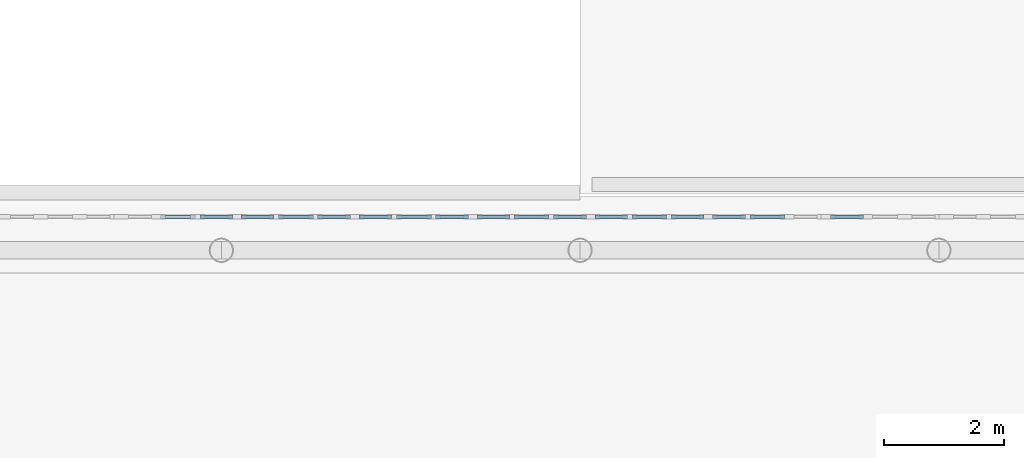
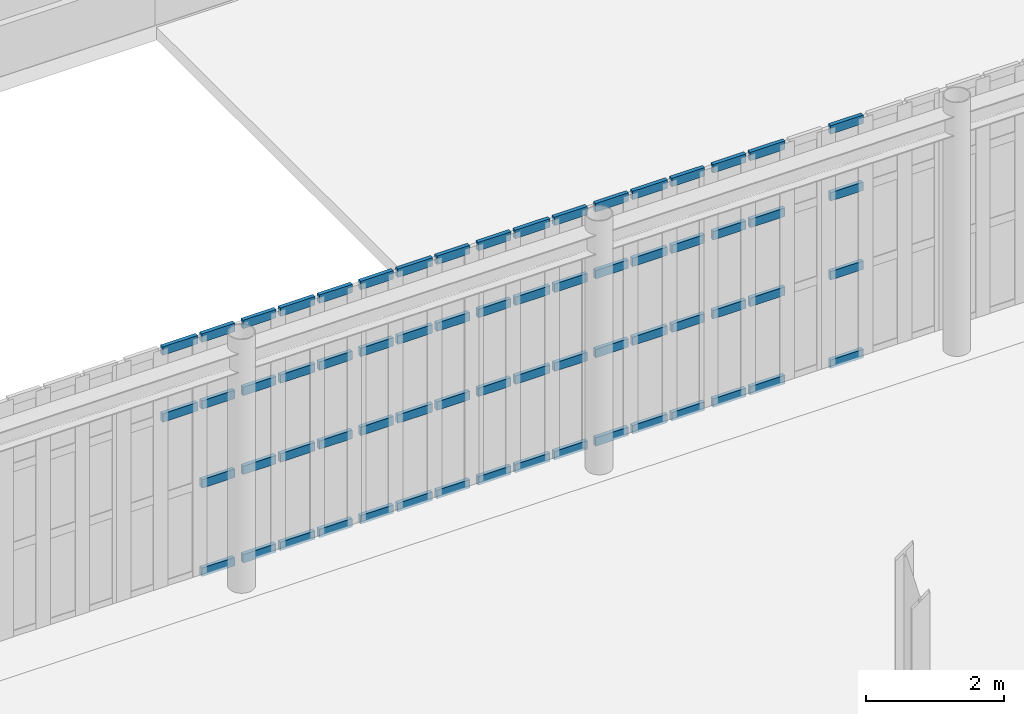
# One storey, part 40 of 91: 66 members, 7 elements without a shape of their own.
"""IFC4 building model written with IfcOpenShell, lengths in metres."""

from ifc_helpers import new_model, si_unit, direction, frame, origin, origin_2d, place, context, subcontext, project, spatial, rectangle, extrude, material, material_profile, profile_set, type_object, element, aggregate, save


model = new_model("IFC4")

# Units and contexts
model_context = context("Model", 3, precision=1e-05, world=origin(), true_north=direction((0.0, 1.0)))
body_context = subcontext(model_context, "Body", "Model", "MODEL_VIEW")
ifc_project = project(units=[si_unit("LENGTHUNIT", "METRE"), si_unit("AREAUNIT", "SQUARE_METRE"), si_unit("VOLUMEUNIT", "CUBIC_METRE"), si_unit("PLANEANGLEUNIT", "RADIAN"), si_unit("MASSUNIT", "GRAM", prefix="KILO")], contexts=[model_context])

# Site, building, storey
site_placement = place(None, origin())
site = spatial("IfcSite", under=ifc_project, at=site_placement, CompositionType="ELEMENT")
building_placement = place(site_placement, origin())
building = spatial("IfcBuilding", under=site, at=building_placement, Name="Kolvaren Corner Interchange", CompositionType="ELEMENT")
storey_placement = place(building_placement, frame((0.0, 0.0, 6.0)))
storey = spatial("IfcBuildingStorey", under=building, at=storey_placement, Name="L02", CompositionType="ELEMENT", Elevation=6.0)

# Curtain wall, members
ifc_material_1 = material(Name="Unitised Aluminium and Solar-Control Glass Curtain Wall", Category="aluminium")
curtain_wall_type = type_object("IfcCurtainWallType", Name="CW-V1-NORTH", PredefinedType="NOTDEFINED", material=ifc_material_1)
curtain_wall_1_placement = place(storey_placement, origin())
curtain_wall_1 = element("IfcCurtainWall", 1, at=curtain_wall_1_placement, inside=storey, type_object=curtain_wall_type, Name="North Concourse Gallery Curtain Wall Bay 16", PredefinedType="NOTDEFINED")
ifc_material_2 = material(Name="Anodised Aluminium Framing", Category="aluminium")
ifc_material_profile = material_profile(ifc_material_2, rectangle(XDim=0.06494140625, YDim=0.14990234375, at=origin_2d()), Name="ALU 65x150")
ifc_profile_set = profile_set([ifc_material_profile], Name="Anodised Aluminium Framing")
member_type = type_object("IfcMemberType", Name="TRN-ALU65x150", PredefinedType="USERDEFINED", material=ifc_profile_set)
member_1_placement = place(storey_placement, frame((88.738525390625, 71.659912109375, 0.032470703125), z_axis=(-1.0, 0.0, 0.0), x_axis=(0.0, -1.0, 0.0)))
member_1 = element("IfcMember", 2, at=member_1_placement, type_object=member_type, Name="CW-073 transom 3.1", ObjectType="TRANSOM", PredefinedType="USERDEFINED", context=body_context, shape_type="SweptSolid", body=[
    extrude(rectangle(XDim=0.06494140625, YDim=0.14990234375, at=origin_2d()), origin(), (0.0, 0.0, 1.0), 0.5517578125),
])
member_2_placement = place(storey_placement, frame((88.738525390625, 71.659912109375, 1.60009765625), z_axis=(-1.0, 0.0, 0.0), x_axis=(0.0, -1.0, 0.0)))
member_2 = element("IfcMember", 3, at=member_2_placement, type_object=member_type, Name="CW-073 transom 3.2", ObjectType="TRANSOM", PredefinedType="USERDEFINED", context=body_context, shape_type="SweptSolid", body=[
    extrude(rectangle(XDim=0.06494140625, YDim=0.14990234375, at=origin_2d()), origin(), (0.0, 0.0, 1.0), 0.5517578125),
])
member_3_placement = place(storey_placement, frame((88.738525390625, 71.659912109375, 3.0), z_axis=(-1.0, 0.0, 0.0), x_axis=(0.0, -1.0, 0.0)))
member_3 = element("IfcMember", 4, at=member_3_placement, type_object=member_type, Name="CW-073 transom 3.3", ObjectType="TRANSOM", PredefinedType="USERDEFINED", context=body_context, shape_type="SweptSolid", body=[
    extrude(rectangle(XDim=0.06494140625, YDim=0.14990234375, at=origin_2d()), origin(), (0.0, 0.0, 1.0), 0.5517578125),
])
member_4_placement = place(storey_placement, frame((88.738525390625, 71.659912109375, 4.1875), z_axis=(-1.0, 0.0, 0.0), x_axis=(0.0, -1.0, 0.0)))
member_4 = element("IfcMember", 5, at=member_4_placement, type_object=member_type, Name="CW-073 transom 3.4", ObjectType="TRANSOM", PredefinedType="USERDEFINED", context=body_context, shape_type="SweptSolid", body=[
    extrude(rectangle(XDim=0.06494140625, YDim=0.14990234375, at=origin_2d()), origin(), (0.0, 0.0, 1.0), 0.5517578125),
])
aggregate(curtain_wall_1, [member_1, member_2, member_3, member_4])

curtain_wall_2_placement = place(storey_placement, origin())
curtain_wall_2 = element("IfcCurtainWall", 6, at=curtain_wall_2_placement, inside=storey, type_object=curtain_wall_type, Name="North Concourse Gallery Curtain Wall Bay 17", PredefinedType="NOTDEFINED")
member_5_placement = place(storey_placement, frame((87.4248046875, 71.659912109375, 0.032470703125), z_axis=(-1.0, 0.0, 0.0), x_axis=(0.0, -1.0, 0.0)))
member_5 = element("IfcMember", 7, at=member_5_placement, type_object=member_type, Name="CW-074 transom 2.1", ObjectType="TRANSOM", PredefinedType="USERDEFINED", context=body_context, shape_type="SweptSolid", body=[
    extrude(rectangle(XDim=0.06494140625, YDim=0.14990234375, at=origin_2d()), origin(), (0.0, 0.0, 1.0), 0.587158203125),
])
member_6_placement = place(storey_placement, frame((87.4248046875, 71.659912109375, 1.60009765625), z_axis=(-1.0, 0.0, 0.0), x_axis=(0.0, -1.0, 0.0)))
member_6 = element("IfcMember", 8, at=member_6_placement, type_object=member_type, Name="CW-074 transom 2.2", ObjectType="TRANSOM", PredefinedType="USERDEFINED", context=body_context, shape_type="SweptSolid", body=[
    extrude(rectangle(XDim=0.06494140625, YDim=0.14990234375, at=origin_2d()), origin(), (0.0, 0.0, 1.0), 0.587158203125),
])
member_7_placement = place(storey_placement, frame((87.4248046875, 71.659912109375, 3.0), z_axis=(-1.0, 0.0, 0.0), x_axis=(0.0, -1.0, 0.0)))
member_7 = element("IfcMember", 9, at=member_7_placement, type_object=member_type, Name="CW-074 transom 2.3", ObjectType="TRANSOM", PredefinedType="USERDEFINED", context=body_context, shape_type="SweptSolid", body=[
    extrude(rectangle(XDim=0.06494140625, YDim=0.14990234375, at=origin_2d()), origin(), (0.0, 0.0, 1.0), 0.587158203125),
])
member_8_placement = place(storey_placement, frame((87.4248046875, 71.659912109375, 4.1875), z_axis=(-1.0, 0.0, 0.0), x_axis=(0.0, -1.0, 0.0)))
member_8 = element("IfcMember", 10, at=member_8_placement, type_object=member_type, Name="CW-074 transom 2.4", ObjectType="TRANSOM", PredefinedType="USERDEFINED", context=body_context, shape_type="SweptSolid", body=[
    extrude(rectangle(XDim=0.06494140625, YDim=0.14990234375, at=origin_2d()), origin(), (0.0, 0.0, 1.0), 0.587158203125),
])
member_9_placement = place(storey_placement, frame((86.767822265625, 71.659912109375, 0.032470703125), z_axis=(-1.0, 0.0, 0.0), x_axis=(0.0, -1.0, 0.0)))
member_9 = element("IfcMember", 11, at=member_9_placement, type_object=member_type, Name="CW-074 transom 3.1", ObjectType="TRANSOM", PredefinedType="USERDEFINED", context=body_context, shape_type="SweptSolid", body=[
    extrude(rectangle(XDim=0.06494140625, YDim=0.14990234375, at=origin_2d()), origin(), (0.0, 0.0, 1.0), 0.552001953125),
])
member_10_placement = place(storey_placement, frame((86.767822265625, 71.659912109375, 1.60009765625), z_axis=(-1.0, 0.0, 0.0), x_axis=(0.0, -1.0, 0.0)))
member_10 = element("IfcMember", 12, at=member_10_placement, type_object=member_type, Name="CW-074 transom 3.2", ObjectType="TRANSOM", PredefinedType="USERDEFINED", context=body_context, shape_type="SweptSolid", body=[
    extrude(rectangle(XDim=0.06494140625, YDim=0.14990234375, at=origin_2d()), origin(), (0.0, 0.0, 1.0), 0.552001953125),
])
member_11_placement = place(storey_placement, frame((86.767822265625, 71.659912109375, 3.0), z_axis=(-1.0, 0.0, 0.0), x_axis=(0.0, -1.0, 0.0)))
member_11 = element("IfcMember", 13, at=member_11_placement, type_object=member_type, Name="CW-074 transom 3.3", ObjectType="TRANSOM", PredefinedType="USERDEFINED", context=body_context, shape_type="SweptSolid", body=[
    extrude(rectangle(XDim=0.06494140625, YDim=0.14990234375, at=origin_2d()), origin(), (0.0, 0.0, 1.0), 0.552001953125),
])
member_12_placement = place(storey_placement, frame((86.767822265625, 71.659912109375, 4.1875), z_axis=(-1.0, 0.0, 0.0), x_axis=(0.0, -1.0, 0.0)))
member_12 = element("IfcMember", 14, at=member_12_placement, type_object=member_type, Name="CW-074 transom 3.4", ObjectType="TRANSOM", PredefinedType="USERDEFINED", context=body_context, shape_type="SweptSolid", body=[
    extrude(rectangle(XDim=0.06494140625, YDim=0.14990234375, at=origin_2d()), origin(), (0.0, 0.0, 1.0), 0.552001953125),
])
aggregate(curtain_wall_2, [member_5, member_6, member_7, member_8, member_9, member_10, member_11, member_12])

curtain_wall_3_placement = place(storey_placement, origin())
curtain_wall_3 = element("IfcCurtainWall", 15, at=curtain_wall_3_placement, inside=storey, type_object=curtain_wall_type, Name="North Concourse Gallery Curtain Wall Bay 18", PredefinedType="NOTDEFINED")
member_13_placement = place(storey_placement, frame((86.07568359375, 71.659912109375, 0.032470703125), z_axis=(-1.0, 0.0, 0.0), x_axis=(0.0, -1.0, 0.0)))
member_13 = element("IfcMember", 16, at=member_13_placement, type_object=member_type, Name="CW-075 transom 1.1", ObjectType="TRANSOM", PredefinedType="USERDEFINED", context=body_context, shape_type="SweptSolid", body=[
    extrude(rectangle(XDim=0.06494140625, YDim=0.14990234375, at=origin_2d()), origin(), (0.0, 0.0, 1.0), 0.5517578125),
])
member_14_placement = place(storey_placement, frame((86.07568359375, 71.659912109375, 1.60009765625), z_axis=(-1.0, 0.0, 0.0), x_axis=(0.0, -1.0, 0.0)))
member_14 = element("IfcMember", 17, at=member_14_placement, type_object=member_type, Name="CW-075 transom 1.2", ObjectType="TRANSOM", PredefinedType="USERDEFINED", context=body_context, shape_type="SweptSolid", body=[
    extrude(rectangle(XDim=0.06494140625, YDim=0.14990234375, at=origin_2d()), origin(), (0.0, 0.0, 1.0), 0.5517578125),
])
member_15_placement = place(storey_placement, frame((86.07568359375, 71.659912109375, 3.0), z_axis=(-1.0, 0.0, 0.0), x_axis=(0.0, -1.0, 0.0)))
member_15 = element("IfcMember", 18, at=member_15_placement, type_object=member_type, Name="CW-075 transom 1.3", ObjectType="TRANSOM", PredefinedType="USERDEFINED", context=body_context, shape_type="SweptSolid", body=[
    extrude(rectangle(XDim=0.06494140625, YDim=0.14990234375, at=origin_2d()), origin(), (0.0, 0.0, 1.0), 0.5517578125),
])
member_16_placement = place(storey_placement, frame((86.07568359375, 71.659912109375, 4.1875), z_axis=(-1.0, 0.0, 0.0), x_axis=(0.0, -1.0, 0.0)))
member_16 = element("IfcMember", 19, at=member_16_placement, type_object=member_type, Name="CW-075 transom 1.4", ObjectType="TRANSOM", PredefinedType="USERDEFINED", context=body_context, shape_type="SweptSolid", body=[
    extrude(rectangle(XDim=0.06494140625, YDim=0.14990234375, at=origin_2d()), origin(), (0.0, 0.0, 1.0), 0.5517578125),
])
member_17_placement = place(storey_placement, frame((85.453857421875, 71.659912109375, 0.032470703125), z_axis=(-1.0, 0.0, 0.0), x_axis=(0.0, -1.0, 0.0)))
member_17 = element("IfcMember", 20, at=member_17_placement, type_object=member_type, Name="CW-075 transom 2.1", ObjectType="TRANSOM", PredefinedType="USERDEFINED", context=body_context, shape_type="SweptSolid", body=[
    extrude(rectangle(XDim=0.06494140625, YDim=0.14990234375, at=origin_2d()), origin(), (0.0, 0.0, 1.0), 0.5869140625),
])
member_18_placement = place(storey_placement, frame((85.453857421875, 71.659912109375, 1.60009765625), z_axis=(-1.0, 0.0, 0.0), x_axis=(0.0, -1.0, 0.0)))
member_18 = element("IfcMember", 21, at=member_18_placement, type_object=member_type, Name="CW-075 transom 2.2", ObjectType="TRANSOM", PredefinedType="USERDEFINED", context=body_context, shape_type="SweptSolid", body=[
    extrude(rectangle(XDim=0.06494140625, YDim=0.14990234375, at=origin_2d()), origin(), (0.0, 0.0, 1.0), 0.5869140625),
])
member_19_placement = place(storey_placement, frame((85.453857421875, 71.659912109375, 3.0), z_axis=(-1.0, 0.0, 0.0), x_axis=(0.0, -1.0, 0.0)))
member_19 = element("IfcMember", 22, at=member_19_placement, type_object=member_type, Name="CW-075 transom 2.3", ObjectType="TRANSOM", PredefinedType="USERDEFINED", context=body_context, shape_type="SweptSolid", body=[
    extrude(rectangle(XDim=0.06494140625, YDim=0.14990234375, at=origin_2d()), origin(), (0.0, 0.0, 1.0), 0.5869140625),
])
member_20_placement = place(storey_placement, frame((85.453857421875, 71.659912109375, 4.1875), z_axis=(-1.0, 0.0, 0.0), x_axis=(0.0, -1.0, 0.0)))
member_20 = element("IfcMember", 23, at=member_20_placement, type_object=member_type, Name="CW-075 transom 2.4", ObjectType="TRANSOM", PredefinedType="USERDEFINED", context=body_context, shape_type="SweptSolid", body=[
    extrude(rectangle(XDim=0.06494140625, YDim=0.14990234375, at=origin_2d()), origin(), (0.0, 0.0, 1.0), 0.5869140625),
])
member_21_placement = place(storey_placement, frame((84.796875, 71.659912109375, 0.032470703125), z_axis=(-1.0, 0.0, 0.0), x_axis=(0.0, -1.0, 0.0)))
member_21 = element("IfcMember", 24, at=member_21_placement, type_object=member_type, Name="CW-075 transom 3.1", ObjectType="TRANSOM", PredefinedType="USERDEFINED", context=body_context, shape_type="SweptSolid", body=[
    extrude(rectangle(XDim=0.06494140625, YDim=0.14990234375, at=origin_2d()), origin(), (0.0, 0.0, 1.0), 0.5517578125),
])
member_22_placement = place(storey_placement, frame((84.796875, 71.659912109375, 1.60009765625), z_axis=(-1.0, 0.0, 0.0), x_axis=(0.0, -1.0, 0.0)))
member_22 = element("IfcMember", 25, at=member_22_placement, type_object=member_type, Name="CW-075 transom 3.2", ObjectType="TRANSOM", PredefinedType="USERDEFINED", context=body_context, shape_type="SweptSolid", body=[
    extrude(rectangle(XDim=0.06494140625, YDim=0.14990234375, at=origin_2d()), origin(), (0.0, 0.0, 1.0), 0.5517578125),
])
member_23_placement = place(storey_placement, frame((84.796875, 71.659912109375, 3.0), z_axis=(-1.0, 0.0, 0.0), x_axis=(0.0, -1.0, 0.0)))
member_23 = element("IfcMember", 26, at=member_23_placement, type_object=member_type, Name="CW-075 transom 3.3", ObjectType="TRANSOM", PredefinedType="USERDEFINED", context=body_context, shape_type="SweptSolid", body=[
    extrude(rectangle(XDim=0.06494140625, YDim=0.14990234375, at=origin_2d()), origin(), (0.0, 0.0, 1.0), 0.5517578125),
])
member_24_placement = place(storey_placement, frame((84.796875, 71.659912109375, 4.1875), z_axis=(-1.0, 0.0, 0.0), x_axis=(0.0, -1.0, 0.0)))
member_24 = element("IfcMember", 27, at=member_24_placement, type_object=member_type, Name="CW-075 transom 3.4", ObjectType="TRANSOM", PredefinedType="USERDEFINED", context=body_context, shape_type="SweptSolid", body=[
    extrude(rectangle(XDim=0.06494140625, YDim=0.14990234375, at=origin_2d()), origin(), (0.0, 0.0, 1.0), 0.5517578125),
])
aggregate(curtain_wall_3, [member_13, member_14, member_15, member_16, member_17, member_18, member_19, member_20, member_21, member_22, member_23, member_24])

curtain_wall_4_placement = place(storey_placement, origin())
curtain_wall_4 = element("IfcCurtainWall", 28, at=curtain_wall_4_placement, inside=storey, type_object=curtain_wall_type, Name="North Concourse Gallery Curtain Wall Bay 19", PredefinedType="NOTDEFINED")
member_25_placement = place(storey_placement, frame((84.10498046875, 71.659912109375, 0.032470703125), z_axis=(-1.0, 0.0, 0.0), x_axis=(0.0, -1.0, 0.0)))
member_25 = element("IfcMember", 29, at=member_25_placement, type_object=member_type, Name="CW-076 transom 1.1", ObjectType="TRANSOM", PredefinedType="USERDEFINED", context=body_context, shape_type="SweptSolid", body=[
    extrude(rectangle(XDim=0.06494140625, YDim=0.14990234375, at=origin_2d()), origin(), (0.0, 0.0, 1.0), 0.552001953125),
])
member_26_placement = place(storey_placement, frame((84.10498046875, 71.659912109375, 1.60009765625), z_axis=(-1.0, 0.0, 0.0), x_axis=(0.0, -1.0, 0.0)))
member_26 = element("IfcMember", 30, at=member_26_placement, type_object=member_type, Name="CW-076 transom 1.2", ObjectType="TRANSOM", PredefinedType="USERDEFINED", context=body_context, shape_type="SweptSolid", body=[
    extrude(rectangle(XDim=0.06494140625, YDim=0.14990234375, at=origin_2d()), origin(), (0.0, 0.0, 1.0), 0.552001953125),
])
member_27_placement = place(storey_placement, frame((84.10498046875, 71.659912109375, 3.0), z_axis=(-1.0, 0.0, 0.0), x_axis=(0.0, -1.0, 0.0)))
member_27 = element("IfcMember", 31, at=member_27_placement, type_object=member_type, Name="CW-076 transom 1.3", ObjectType="TRANSOM", PredefinedType="USERDEFINED", context=body_context, shape_type="SweptSolid", body=[
    extrude(rectangle(XDim=0.06494140625, YDim=0.14990234375, at=origin_2d()), origin(), (0.0, 0.0, 1.0), 0.552001953125),
])
member_28_placement = place(storey_placement, frame((84.10498046875, 71.659912109375, 4.1875), z_axis=(-1.0, 0.0, 0.0), x_axis=(0.0, -1.0, 0.0)))
member_28 = element("IfcMember", 32, at=member_28_placement, type_object=member_type, Name="CW-076 transom 1.4", ObjectType="TRANSOM", PredefinedType="USERDEFINED", context=body_context, shape_type="SweptSolid", body=[
    extrude(rectangle(XDim=0.06494140625, YDim=0.14990234375, at=origin_2d()), origin(), (0.0, 0.0, 1.0), 0.552001953125),
])
member_29_placement = place(storey_placement, frame((83.483154296875, 71.659912109375, 0.032470703125), z_axis=(-1.0, 0.0, 0.0), x_axis=(0.0, -1.0, 0.0)))
member_29 = element("IfcMember", 33, at=member_29_placement, type_object=member_type, Name="CW-076 transom 2.1", ObjectType="TRANSOM", PredefinedType="USERDEFINED", context=body_context, shape_type="SweptSolid", body=[
    extrude(rectangle(XDim=0.06494140625, YDim=0.14990234375, at=origin_2d()), origin(), (0.0, 0.0, 1.0), 0.5869140625),
])
member_30_placement = place(storey_placement, frame((83.483154296875, 71.659912109375, 1.60009765625), z_axis=(-1.0, 0.0, 0.0), x_axis=(0.0, -1.0, 0.0)))
member_30 = element("IfcMember", 34, at=member_30_placement, type_object=member_type, Name="CW-076 transom 2.2", ObjectType="TRANSOM", PredefinedType="USERDEFINED", context=body_context, shape_type="SweptSolid", body=[
    extrude(rectangle(XDim=0.06494140625, YDim=0.14990234375, at=origin_2d()), origin(), (0.0, 0.0, 1.0), 0.5869140625),
])
member_31_placement = place(storey_placement, frame((83.483154296875, 71.659912109375, 3.0), z_axis=(-1.0, 0.0, 0.0), x_axis=(0.0, -1.0, 0.0)))
member_31 = element("IfcMember", 35, at=member_31_placement, type_object=member_type, Name="CW-076 transom 2.3", ObjectType="TRANSOM", PredefinedType="USERDEFINED", context=body_context, shape_type="SweptSolid", body=[
    extrude(rectangle(XDim=0.06494140625, YDim=0.14990234375, at=origin_2d()), origin(), (0.0, 0.0, 1.0), 0.5869140625),
])
member_32_placement = place(storey_placement, frame((83.483154296875, 71.659912109375, 4.1875), z_axis=(-1.0, 0.0, 0.0), x_axis=(0.0, -1.0, 0.0)))
member_32 = element("IfcMember", 36, at=member_32_placement, type_object=member_type, Name="CW-076 transom 2.4", ObjectType="TRANSOM", PredefinedType="USERDEFINED", context=body_context, shape_type="SweptSolid", body=[
    extrude(rectangle(XDim=0.06494140625, YDim=0.14990234375, at=origin_2d()), origin(), (0.0, 0.0, 1.0), 0.5869140625),
])
member_33_placement = place(storey_placement, frame((82.826171875, 71.659912109375, 0.032470703125), z_axis=(-1.0, 0.0, 0.0), x_axis=(0.0, -1.0, 0.0)))
member_33 = element("IfcMember", 37, at=member_33_placement, type_object=member_type, Name="CW-076 transom 3.1", ObjectType="TRANSOM", PredefinedType="USERDEFINED", context=body_context, shape_type="SweptSolid", body=[
    extrude(rectangle(XDim=0.06494140625, YDim=0.14990234375, at=origin_2d()), origin(), (0.0, 0.0, 1.0), 0.552001953125),
])
member_34_placement = place(storey_placement, frame((82.826171875, 71.659912109375, 1.60009765625), z_axis=(-1.0, 0.0, 0.0), x_axis=(0.0, -1.0, 0.0)))
member_34 = element("IfcMember", 38, at=member_34_placement, type_object=member_type, Name="CW-076 transom 3.2", ObjectType="TRANSOM", PredefinedType="USERDEFINED", context=body_context, shape_type="SweptSolid", body=[
    extrude(rectangle(XDim=0.06494140625, YDim=0.14990234375, at=origin_2d()), origin(), (0.0, 0.0, 1.0), 0.552001953125),
])
member_35_placement = place(storey_placement, frame((82.826171875, 71.659912109375, 3.0), z_axis=(-1.0, 0.0, 0.0), x_axis=(0.0, -1.0, 0.0)))
member_35 = element("IfcMember", 39, at=member_35_placement, type_object=member_type, Name="CW-076 transom 3.3", ObjectType="TRANSOM", PredefinedType="USERDEFINED", context=body_context, shape_type="SweptSolid", body=[
    extrude(rectangle(XDim=0.06494140625, YDim=0.14990234375, at=origin_2d()), origin(), (0.0, 0.0, 1.0), 0.552001953125),
])
member_36_placement = place(storey_placement, frame((82.826171875, 71.659912109375, 4.1875), z_axis=(-1.0, 0.0, 0.0), x_axis=(0.0, -1.0, 0.0)))
member_36 = element("IfcMember", 40, at=member_36_placement, type_object=member_type, Name="CW-076 transom 3.4", ObjectType="TRANSOM", PredefinedType="USERDEFINED", context=body_context, shape_type="SweptSolid", body=[
    extrude(rectangle(XDim=0.06494140625, YDim=0.14990234375, at=origin_2d()), origin(), (0.0, 0.0, 1.0), 0.552001953125),
])
aggregate(curtain_wall_4, [member_25, member_26, member_27, member_28, member_29, member_30, member_31, member_32, member_33, member_34, member_35, member_36])

curtain_wall_5_placement = place(storey_placement, origin())
curtain_wall_5 = element("IfcCurtainWall", 41, at=curtain_wall_5_placement, inside=storey, type_object=curtain_wall_type, Name="North Concourse Gallery Curtain Wall Bay 20", PredefinedType="NOTDEFINED")
member_37_placement = place(storey_placement, frame((82.13427734375, 71.659912109375, 0.032470703125), z_axis=(-1.0, 0.0, 0.0), x_axis=(0.0, -1.0, 0.0)))
member_37 = element("IfcMember", 42, at=member_37_placement, type_object=member_type, Name="CW-077 transom 1.1", ObjectType="TRANSOM", PredefinedType="USERDEFINED", context=body_context, shape_type="SweptSolid", body=[
    extrude(rectangle(XDim=0.06494140625, YDim=0.14990234375, at=origin_2d()), origin(), (0.0, 0.0, 1.0), 0.552001953125),
])
member_38_placement = place(storey_placement, frame((82.13427734375, 71.659912109375, 1.60009765625), z_axis=(-1.0, 0.0, 0.0), x_axis=(0.0, -1.0, 0.0)))
member_38 = element("IfcMember", 43, at=member_38_placement, type_object=member_type, Name="CW-077 transom 1.2", ObjectType="TRANSOM", PredefinedType="USERDEFINED", context=body_context, shape_type="SweptSolid", body=[
    extrude(rectangle(XDim=0.06494140625, YDim=0.14990234375, at=origin_2d()), origin(), (0.0, 0.0, 1.0), 0.552001953125),
])
member_39_placement = place(storey_placement, frame((82.13427734375, 71.659912109375, 3.0), z_axis=(-1.0, 0.0, 0.0), x_axis=(0.0, -1.0, 0.0)))
member_39 = element("IfcMember", 44, at=member_39_placement, type_object=member_type, Name="CW-077 transom 1.3", ObjectType="TRANSOM", PredefinedType="USERDEFINED", context=body_context, shape_type="SweptSolid", body=[
    extrude(rectangle(XDim=0.06494140625, YDim=0.14990234375, at=origin_2d()), origin(), (0.0, 0.0, 1.0), 0.552001953125),
])
member_40_placement = place(storey_placement, frame((82.13427734375, 71.659912109375, 4.1875), z_axis=(-1.0, 0.0, 0.0), x_axis=(0.0, -1.0, 0.0)))
member_40 = element("IfcMember", 45, at=member_40_placement, type_object=member_type, Name="CW-077 transom 1.4", ObjectType="TRANSOM", PredefinedType="USERDEFINED", context=body_context, shape_type="SweptSolid", body=[
    extrude(rectangle(XDim=0.06494140625, YDim=0.14990234375, at=origin_2d()), origin(), (0.0, 0.0, 1.0), 0.552001953125),
])
member_41_placement = place(storey_placement, frame((81.51220703125, 71.659912109375, 0.032470703125), z_axis=(-1.0, 0.0, 0.0), x_axis=(0.0, -1.0, 0.0)))
member_41 = element("IfcMember", 46, at=member_41_placement, type_object=member_type, Name="CW-077 transom 2.1", ObjectType="TRANSOM", PredefinedType="USERDEFINED", context=body_context, shape_type="SweptSolid", body=[
    extrude(rectangle(XDim=0.06494140625, YDim=0.14990234375, at=origin_2d()), origin(), (0.0, 0.0, 1.0), 0.5869140625),
])
member_42_placement = place(storey_placement, frame((81.51220703125, 71.659912109375, 1.60009765625), z_axis=(-1.0, 0.0, 0.0), x_axis=(0.0, -1.0, 0.0)))
member_42 = element("IfcMember", 47, at=member_42_placement, type_object=member_type, Name="CW-077 transom 2.2", ObjectType="TRANSOM", PredefinedType="USERDEFINED", context=body_context, shape_type="SweptSolid", body=[
    extrude(rectangle(XDim=0.06494140625, YDim=0.14990234375, at=origin_2d()), origin(), (0.0, 0.0, 1.0), 0.5869140625),
])
member_43_placement = place(storey_placement, frame((81.51220703125, 71.659912109375, 3.0), z_axis=(-1.0, 0.0, 0.0), x_axis=(0.0, -1.0, 0.0)))
member_43 = element("IfcMember", 48, at=member_43_placement, type_object=member_type, Name="CW-077 transom 2.3", ObjectType="TRANSOM", PredefinedType="USERDEFINED", context=body_context, shape_type="SweptSolid", body=[
    extrude(rectangle(XDim=0.06494140625, YDim=0.14990234375, at=origin_2d()), origin(), (0.0, 0.0, 1.0), 0.5869140625),
])
member_44_placement = place(storey_placement, frame((81.51220703125, 71.659912109375, 4.1875), z_axis=(-1.0, 0.0, 0.0), x_axis=(0.0, -1.0, 0.0)))
member_44 = element("IfcMember", 49, at=member_44_placement, type_object=member_type, Name="CW-077 transom 2.4", ObjectType="TRANSOM", PredefinedType="USERDEFINED", context=body_context, shape_type="SweptSolid", body=[
    extrude(rectangle(XDim=0.06494140625, YDim=0.14990234375, at=origin_2d()), origin(), (0.0, 0.0, 1.0), 0.5869140625),
])
member_45_placement = place(storey_placement, frame((80.855224609375, 71.659912109375, 0.032470703125), z_axis=(-1.0, 0.0, 0.0), x_axis=(0.0, -1.0, 0.0)))
member_45 = element("IfcMember", 50, at=member_45_placement, type_object=member_type, Name="CW-077 transom 3.1", ObjectType="TRANSOM", PredefinedType="USERDEFINED", context=body_context, shape_type="SweptSolid", body=[
    extrude(rectangle(XDim=0.06494140625, YDim=0.14990234375, at=origin_2d()), origin(), (0.0, 0.0, 1.0), 0.552001953125),
])
member_46_placement = place(storey_placement, frame((80.855224609375, 71.659912109375, 1.60009765625), z_axis=(-1.0, 0.0, 0.0), x_axis=(0.0, -1.0, 0.0)))
member_46 = element("IfcMember", 51, at=member_46_placement, type_object=member_type, Name="CW-077 transom 3.2", ObjectType="TRANSOM", PredefinedType="USERDEFINED", context=body_context, shape_type="SweptSolid", body=[
    extrude(rectangle(XDim=0.06494140625, YDim=0.14990234375, at=origin_2d()), origin(), (0.0, 0.0, 1.0), 0.552001953125),
])
member_47_placement = place(storey_placement, frame((80.855224609375, 71.659912109375, 3.0), z_axis=(-1.0, 0.0, 0.0), x_axis=(0.0, -1.0, 0.0)))
member_47 = element("IfcMember", 52, at=member_47_placement, type_object=member_type, Name="CW-077 transom 3.3", ObjectType="TRANSOM", PredefinedType="USERDEFINED", context=body_context, shape_type="SweptSolid", body=[
    extrude(rectangle(XDim=0.06494140625, YDim=0.14990234375, at=origin_2d()), origin(), (0.0, 0.0, 1.0), 0.552001953125),
])
member_48_placement = place(storey_placement, frame((80.855224609375, 71.659912109375, 4.1875), z_axis=(-1.0, 0.0, 0.0), x_axis=(0.0, -1.0, 0.0)))
member_48 = element("IfcMember", 53, at=member_48_placement, type_object=member_type, Name="CW-077 transom 3.4", ObjectType="TRANSOM", PredefinedType="USERDEFINED", context=body_context, shape_type="SweptSolid", body=[
    extrude(rectangle(XDim=0.06494140625, YDim=0.14990234375, at=origin_2d()), origin(), (0.0, 0.0, 1.0), 0.552001953125),
])
aggregate(curtain_wall_5, [member_37, member_38, member_39, member_40, member_41, member_42, member_43, member_44, member_45, member_46, member_47, member_48])

curtain_wall_6_placement = place(storey_placement, origin())
curtain_wall_6 = element("IfcCurtainWall", 54, at=curtain_wall_6_placement, inside=storey, type_object=curtain_wall_type, Name="North Concourse Gallery Curtain Wall Bay 21", PredefinedType="NOTDEFINED")
member_49_placement = place(storey_placement, frame((80.163330078125, 71.659912109375, 0.032470703125), z_axis=(-1.0, 0.0, 0.0), x_axis=(0.0, -1.0, 0.0)))
member_49 = element("IfcMember", 55, at=member_49_placement, type_object=member_type, Name="CW-078 transom 1.1", ObjectType="TRANSOM", PredefinedType="USERDEFINED", context=body_context, shape_type="SweptSolid", body=[
    extrude(rectangle(XDim=0.06494140625, YDim=0.14990234375, at=origin_2d()), origin(), (0.0, 0.0, 1.0), 0.552001953125),
])
member_50_placement = place(storey_placement, frame((80.163330078125, 71.659912109375, 1.60009765625), z_axis=(-1.0, 0.0, 0.0), x_axis=(0.0, -1.0, 0.0)))
member_50 = element("IfcMember", 56, at=member_50_placement, type_object=member_type, Name="CW-078 transom 1.2", ObjectType="TRANSOM", PredefinedType="USERDEFINED", context=body_context, shape_type="SweptSolid", body=[
    extrude(rectangle(XDim=0.06494140625, YDim=0.14990234375, at=origin_2d()), origin(), (0.0, 0.0, 1.0), 0.552001953125),
])
member_51_placement = place(storey_placement, frame((80.163330078125, 71.659912109375, 3.0), z_axis=(-1.0, 0.0, 0.0), x_axis=(0.0, -1.0, 0.0)))
member_51 = element("IfcMember", 57, at=member_51_placement, type_object=member_type, Name="CW-078 transom 1.3", ObjectType="TRANSOM", PredefinedType="USERDEFINED", context=body_context, shape_type="SweptSolid", body=[
    extrude(rectangle(XDim=0.06494140625, YDim=0.14990234375, at=origin_2d()), origin(), (0.0, 0.0, 1.0), 0.552001953125),
])
member_52_placement = place(storey_placement, frame((80.163330078125, 71.659912109375, 4.1875), z_axis=(-1.0, 0.0, 0.0), x_axis=(0.0, -1.0, 0.0)))
member_52 = element("IfcMember", 58, at=member_52_placement, type_object=member_type, Name="CW-078 transom 1.4", ObjectType="TRANSOM", PredefinedType="USERDEFINED", context=body_context, shape_type="SweptSolid", body=[
    extrude(rectangle(XDim=0.06494140625, YDim=0.14990234375, at=origin_2d()), origin(), (0.0, 0.0, 1.0), 0.552001953125),
])
member_53_placement = place(storey_placement, frame((79.541259765625, 71.659912109375, 0.032470703125), z_axis=(-1.0, 0.0, 0.0), x_axis=(0.0, -1.0, 0.0)))
member_53 = element("IfcMember", 59, at=member_53_placement, type_object=member_type, Name="CW-078 transom 2.1", ObjectType="TRANSOM", PredefinedType="USERDEFINED", context=body_context, shape_type="SweptSolid", body=[
    extrude(rectangle(XDim=0.06494140625, YDim=0.14990234375, at=origin_2d()), origin(), (0.0, 0.0, 1.0), 0.5869140625),
])
member_54_placement = place(storey_placement, frame((79.541259765625, 71.659912109375, 1.60009765625), z_axis=(-1.0, 0.0, 0.0), x_axis=(0.0, -1.0, 0.0)))
member_54 = element("IfcMember", 60, at=member_54_placement, type_object=member_type, Name="CW-078 transom 2.2", ObjectType="TRANSOM", PredefinedType="USERDEFINED", context=body_context, shape_type="SweptSolid", body=[
    extrude(rectangle(XDim=0.06494140625, YDim=0.14990234375, at=origin_2d()), origin(), (0.0, 0.0, 1.0), 0.5869140625),
])
member_55_placement = place(storey_placement, frame((79.541259765625, 71.659912109375, 3.0), z_axis=(-1.0, 0.0, 0.0), x_axis=(0.0, -1.0, 0.0)))
member_55 = element("IfcMember", 61, at=member_55_placement, type_object=member_type, Name="CW-078 transom 2.3", ObjectType="TRANSOM", PredefinedType="USERDEFINED", context=body_context, shape_type="SweptSolid", body=[
    extrude(rectangle(XDim=0.06494140625, YDim=0.14990234375, at=origin_2d()), origin(), (0.0, 0.0, 1.0), 0.5869140625),
])
member_56_placement = place(storey_placement, frame((79.541259765625, 71.659912109375, 4.1875), z_axis=(-1.0, 0.0, 0.0), x_axis=(0.0, -1.0, 0.0)))
member_56 = element("IfcMember", 62, at=member_56_placement, type_object=member_type, Name="CW-078 transom 2.4", ObjectType="TRANSOM", PredefinedType="USERDEFINED", context=body_context, shape_type="SweptSolid", body=[
    extrude(rectangle(XDim=0.06494140625, YDim=0.14990234375, at=origin_2d()), origin(), (0.0, 0.0, 1.0), 0.5869140625),
])
member_57_placement = place(storey_placement, frame((78.884521484375, 71.659912109375, 0.032470703125), z_axis=(-1.0, 0.0, 0.0), x_axis=(0.0, -1.0, 0.0)))
member_57 = element("IfcMember", 63, at=member_57_placement, type_object=member_type, Name="CW-078 transom 3.1", ObjectType="TRANSOM", PredefinedType="USERDEFINED", context=body_context, shape_type="SweptSolid", body=[
    extrude(rectangle(XDim=0.06494140625, YDim=0.14990234375, at=origin_2d()), origin(), (0.0, 0.0, 1.0), 0.552001953125),
])
member_58_placement = place(storey_placement, frame((78.884521484375, 71.659912109375, 1.60009765625), z_axis=(-1.0, 0.0, 0.0), x_axis=(0.0, -1.0, 0.0)))
member_58 = element("IfcMember", 64, at=member_58_placement, type_object=member_type, Name="CW-078 transom 3.2", ObjectType="TRANSOM", PredefinedType="USERDEFINED", context=body_context, shape_type="SweptSolid", body=[
    extrude(rectangle(XDim=0.06494140625, YDim=0.14990234375, at=origin_2d()), origin(), (0.0, 0.0, 1.0), 0.552001953125),
])
member_59_placement = place(storey_placement, frame((78.884521484375, 71.659912109375, 3.0), z_axis=(-1.0, 0.0, 0.0), x_axis=(0.0, -1.0, 0.0)))
member_59 = element("IfcMember", 65, at=member_59_placement, type_object=member_type, Name="CW-078 transom 3.3", ObjectType="TRANSOM", PredefinedType="USERDEFINED", context=body_context, shape_type="SweptSolid", body=[
    extrude(rectangle(XDim=0.06494140625, YDim=0.14990234375, at=origin_2d()), origin(), (0.0, 0.0, 1.0), 0.552001953125),
])
member_60_placement = place(storey_placement, frame((78.884521484375, 71.659912109375, 4.1875), z_axis=(-1.0, 0.0, 0.0), x_axis=(0.0, -1.0, 0.0)))
member_60 = element("IfcMember", 66, at=member_60_placement, type_object=member_type, Name="CW-078 transom 3.4", ObjectType="TRANSOM", PredefinedType="USERDEFINED", context=body_context, shape_type="SweptSolid", body=[
    extrude(rectangle(XDim=0.06494140625, YDim=0.14990234375, at=origin_2d()), origin(), (0.0, 0.0, 1.0), 0.552001953125),
])
aggregate(curtain_wall_6, [member_49, member_50, member_51, member_52, member_53, member_54, member_55, member_56, member_57, member_58, member_59, member_60])

curtain_wall_7_placement = place(storey_placement, origin())
curtain_wall_7 = element("IfcCurtainWall", 67, at=curtain_wall_7_placement, inside=storey, type_object=curtain_wall_type, Name="North Concourse Gallery Curtain Wall Bay 22", PredefinedType="NOTDEFINED")
member_61_placement = place(storey_placement, frame((78.1923828125, 71.659912109375, 0.032470703125), z_axis=(-1.0, 0.0, 0.0), x_axis=(0.0, -1.0, 0.0)))
member_61 = element("IfcMember", 68, at=member_61_placement, type_object=member_type, Name="CW-079 transom 1.1", ObjectType="TRANSOM", PredefinedType="USERDEFINED", context=body_context, shape_type="SweptSolid", body=[
    extrude(rectangle(XDim=0.06494140625, YDim=0.14990234375, at=origin_2d()), origin(), (0.0, 0.0, 1.0), 0.5517578125),
])
member_62_placement = place(storey_placement, frame((78.1923828125, 71.659912109375, 1.60009765625), z_axis=(-1.0, 0.0, 0.0), x_axis=(0.0, -1.0, 0.0)))
member_62 = element("IfcMember", 69, at=member_62_placement, type_object=member_type, Name="CW-079 transom 1.2", ObjectType="TRANSOM", PredefinedType="USERDEFINED", context=body_context, shape_type="SweptSolid", body=[
    extrude(rectangle(XDim=0.06494140625, YDim=0.14990234375, at=origin_2d()), origin(), (0.0, 0.0, 1.0), 0.5517578125),
])
member_63_placement = place(storey_placement, frame((78.1923828125, 71.659912109375, 3.0), z_axis=(-1.0, 0.0, 0.0), x_axis=(0.0, -1.0, 0.0)))
member_63 = element("IfcMember", 70, at=member_63_placement, type_object=member_type, Name="CW-079 transom 1.3", ObjectType="TRANSOM", PredefinedType="USERDEFINED", context=body_context, shape_type="SweptSolid", body=[
    extrude(rectangle(XDim=0.06494140625, YDim=0.14990234375, at=origin_2d()), origin(), (0.0, 0.0, 1.0), 0.5517578125),
])
member_64_placement = place(storey_placement, frame((78.1923828125, 71.659912109375, 4.1875), z_axis=(-1.0, 0.0, 0.0), x_axis=(0.0, -1.0, 0.0)))
member_64 = element("IfcMember", 71, at=member_64_placement, type_object=member_type, Name="CW-079 transom 1.4", ObjectType="TRANSOM", PredefinedType="USERDEFINED", context=body_context, shape_type="SweptSolid", body=[
    extrude(rectangle(XDim=0.06494140625, YDim=0.14990234375, at=origin_2d()), origin(), (0.0, 0.0, 1.0), 0.5517578125),
])
member_65_placement = place(storey_placement, frame((77.570556640625, 71.659912109375, 3.0), z_axis=(-1.0, 0.0, 0.0), x_axis=(0.0, -1.0, 0.0)))
member_65 = element("IfcMember", 72, at=member_65_placement, type_object=member_type, Name="CW-079 transom 2.3", ObjectType="TRANSOM", PredefinedType="USERDEFINED", context=body_context, shape_type="SweptSolid", body=[
    extrude(rectangle(XDim=0.06494140625, YDim=0.14990234375, at=origin_2d()), origin(), (0.0, 0.0, 1.0), 0.5869140625),
])
member_66_placement = place(storey_placement, frame((77.570556640625, 71.659912109375, 4.1875), z_axis=(-1.0, 0.0, 0.0), x_axis=(0.0, -1.0, 0.0)))
member_66 = element("IfcMember", 73, at=member_66_placement, type_object=member_type, Name="CW-079 transom 2.4", ObjectType="TRANSOM", PredefinedType="USERDEFINED", context=body_context, shape_type="SweptSolid", body=[
    extrude(rectangle(XDim=0.06494140625, YDim=0.14990234375, at=origin_2d()), origin(), (0.0, 0.0, 1.0), 0.5869140625),
])
aggregate(curtain_wall_7, [member_61, member_62, member_63, member_64, member_65, member_66])

save(model, "model.ifc")
